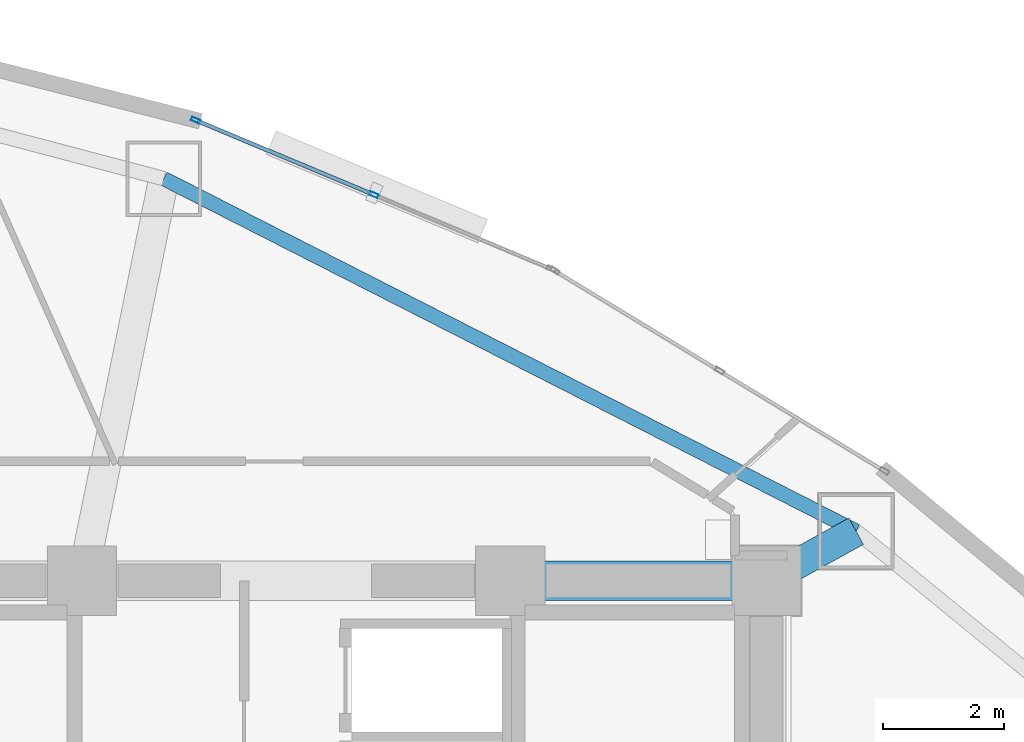
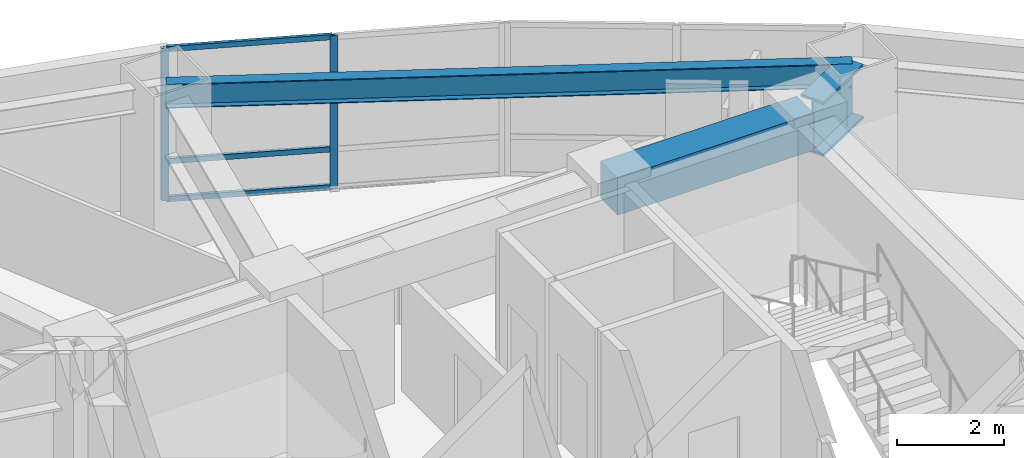
# One storey, part 9 of 17: 5 members, 3 beams, 1 element without a shape of its own.
"""IFC4 building model written with IfcOpenShell, lengths in metres."""

from ifc_helpers import new_model, si_unit, direction, frame, origin, origin_2d, place, context, subcontext, project, spatial, rectangle, hollow_rectangle, i_section, extrude, material, layer, layer_set, material_profile, profile_set, type_object, element, aggregate, save


model = new_model("IFC4")

# Units and contexts
model_context = context("Model", 3, precision=1e-05, world=origin(), true_north=direction((0.0, 1.0)))
body_context = subcontext(model_context, "Body", "Model", "MODEL_VIEW")
ifc_project = project(units=[si_unit("LENGTHUNIT", "METRE"), si_unit("AREAUNIT", "SQUARE_METRE"), si_unit("VOLUMEUNIT", "CUBIC_METRE"), si_unit("PLANEANGLEUNIT", "RADIAN"), si_unit("MASSUNIT", "GRAM", prefix="KILO")], contexts=[model_context])

# Site, building, storey
site_placement = place(None, origin())
site = spatial("IfcSite", under=ifc_project, at=site_placement, CompositionType="ELEMENT")
building_placement = place(site_placement, origin())
building = spatial("IfcBuilding", under=site, at=building_placement, Name="Menara Vayukalpa", CompositionType="ELEMENT")
storey_placement = place(building_placement, frame((0.0, 0.0, 133.739990234375)))
storey = spatial("IfcBuildingStorey", under=building, at=storey_placement, Name="L33", CompositionType="ELEMENT", Elevation=133.739990234375)

# Beams
ifc_material_1 = material(Name="Concrete C60/75", Category="concrete")
ifc_material_profile_1 = material_profile(ifc_material_1, rectangle(XDim=0.64990234375, YDim=0.85009765625, at=origin_2d()), Name="RC 650x850")
ifc_profile_set_1 = profile_set([ifc_material_profile_1], Name="Concrete C60/75")
beam_type_1 = type_object("IfcBeamType", Name="BM-CB1", PredefinedType="BEAM", material=ifc_profile_set_1)
beam_1_placement = place(storey_placement, frame((29.14990234375, 26.800048828125, 3.074951171875), z_axis=(1.0, 0.0, 0.0), x_axis=(0.0, 1.0, 0.0)))
element("IfcBeam", 1, at=beam_1_placement, inside=storey, type_object=beam_type_1, Name="L33 Core Tie Beam CBR6", PredefinedType="BEAM", context=body_context, shape_type="SweptSolid", body=[
    extrude(rectangle(XDim=0.64990234375, YDim=0.85009765625, at=origin_2d()), origin(), (0.0, 0.0, 1.0), 4.25),
])
ifc_material_2 = material(Name="Steel S355", Category="steel")
ifc_material_profile_2 = material_profile(ifc_material_2, i_section(OverallWidth=0.239990234375, OverallDepth=0.550048828125, WebThickness=0.010986328125, FlangeThickness=0.01904296875, at=origin_2d()), Name="WF 550x240x11x19")
ifc_profile_set_2 = profile_set([ifc_material_profile_2], Name="Steel S355")
beam_type_2 = type_object("IfcBeamType", Name="BM-SP2", PredefinedType="SPANDREL", material=ifc_profile_set_2)
beam_2_placement = place(storey_placement, frame((34.88671875, 27.62158203125, 3.22509765625), z_axis=(-0.891097345221, 0.453812209333, 0.0), x_axis=(-0.453812209333, -0.891097345221, 0.0)))
element("IfcBeam", 2, at=beam_2_placement, inside=storey, type_object=beam_type_2, Name="L33 Perimeter Spandrel Beam SP02", PredefinedType="SPANDREL", context=body_context, shape_type="SweptSolid", body=[
    extrude(i_section(OverallWidth=0.239990234375, OverallDepth=0.550048828125, WebThickness=0.010986328125, FlangeThickness=0.01904296875, at=origin_2d()), origin(), (0.0, 0.0, 1.0), 12.88134765625),
])
ifc_material_3 = material(Name="Steel S460", Category="steel")
ifc_material_profile_3 = material_profile(ifc_material_3, i_section(OverallWidth=0.5, OverallDepth=1.25, WebThickness=0.028076171875, FlangeThickness=0.054931640625, at=origin_2d()), Name="WG 1250x500x28x55")
ifc_profile_set_3 = profile_set([ifc_material_profile_3], Name="Steel S460")
beam_type_3 = type_object("IfcBeamType", Name="BM-TG2", PredefinedType="BEAM", material=ifc_profile_set_3)
beam_3_placement = place(storey_placement, frame((33.618896484375, 26.9208984375, 2.875), z_axis=(0.875228391676, 0.48370989488, 0.0), x_axis=(-0.48370989488, 0.875228391676, 0.0)))
element("IfcBeam", 3, at=beam_3_placement, inside=storey, type_object=beam_type_3, Name="L33 Primary Radial Girder RG02", PredefinedType="BEAM", context=body_context, shape_type="SweptSolid", body=[
    extrude(i_section(OverallWidth=0.5, OverallDepth=1.25, WebThickness=0.028076171875, FlangeThickness=0.054931640625, at=origin_2d()), origin(), (0.0, 0.0, 1.0), 1.448486328125),
])

# Curtain wall, members
ifc_material_4 = material(Name="Anodised Terracotta Aluminium Alloy 6063-T6", Category="masonry")
ifc_layer = layer(ifc_material_4, 0.14990234375)
ifc_layer_set = layer_set([ifc_layer], Name="Anodised Terracotta Aluminium Alloy 6063-T6")
curtain_wall_type = type_object("IfcCurtainWallType", Name="CW-CW3", PredefinedType="USERDEFINED", material=ifc_layer_set)
curtain_wall_placement = place(storey_placement, origin())
curtain_wall = element("IfcCurtainWall", 4, at=curtain_wall_placement, inside=storey, type_object=curtain_wall_type, Name="L33 Mid Rise Terracotta Ribbon Curtain Wall CW3 05", ObjectType="UNITISED", PredefinedType="USERDEFINED")
ifc_material_5 = material(Name="Anodised Terracotta Aluminium Alloy 6063-T6", Category="masonry")
ifc_material_profile_4 = material_profile(ifc_material_5, hollow_rectangle(XDim=0.06494140625, YDim=0.14990234375, WallThickness=0.00341796875, at=origin_2d()), Name="ALU 65x150x3.5")
ifc_profile_set_4 = profile_set([ifc_material_profile_4], Name="Anodised Terracotta Aluminium Alloy 6063-T6")
member_type_1 = type_object("IfcMemberType", Name="CWM-CW3", PredefinedType="MULLION", material=ifc_profile_set_4)
member_1_placement = place(storey_placement, frame((26.88671875, 33.201416015625, 0.0), z_axis=(0.0, 0.0, 1.0), x_axis=(-0.38589358437, -0.922543300632, 0.0)))
member_1 = element("IfcMember", 5, at=member_1_placement, type_object=member_type_1, Name="CW3 mullion 2", PredefinedType="MULLION", context=body_context, shape_type="SweptSolid", body=[
    extrude(hollow_rectangle(XDim=0.06494140625, YDim=0.14990234375, WallThickness=0.00341796875, at=origin_2d()), origin(), (0.0, 0.0, 1.0), 3.5),
])
member_2_placement = place(storey_placement, frame((23.9375, 34.43505859375, 0.0), z_axis=(0.0, 0.0, 1.0), x_axis=(-0.38589358437, -0.922543300632, 0.0)))
member_2 = element("IfcMember", 6, at=member_2_placement, type_object=member_type_1, Name="CW3 mullion 3", PredefinedType="MULLION", context=body_context, shape_type="SweptSolid", body=[
    extrude(hollow_rectangle(XDim=0.06494140625, YDim=0.14990234375, WallThickness=0.00341796875, at=origin_2d()), origin(), (0.0, 0.0, 1.0), 3.5),
])
ifc_material_6 = material(Name="Anodised Terracotta Aluminium Alloy 6063-T6", Category="masonry")
ifc_material_profile_5 = material_profile(ifc_material_6, hollow_rectangle(XDim=0.06494140625, YDim=0.1201171875, WallThickness=0.00341796875, at=origin_2d()), Name="ALU 65x120x3.5")
ifc_profile_set_5 = profile_set([ifc_material_profile_5], Name="Anodised Terracotta Aluminium Alloy 6063-T6")
member_type_2 = type_object("IfcMemberType", Name="CWT-CW3", PredefinedType="USERDEFINED", material=ifc_profile_set_5)
member_3_placement = place(storey_placement, frame((26.856689453125, 33.2138671875, 0.032470703125), z_axis=(-0.922529423765, 0.385926757673, 0.0), x_axis=(-0.385926757673, -0.922529423765, 0.0)))
member_3 = element("IfcMember", 7, at=member_3_placement, type_object=member_type_2, Name="CW3 transom 2.1", ObjectType="TRANSOM", PredefinedType="USERDEFINED", context=body_context, shape_type="SweptSolid", body=[
    extrude(hollow_rectangle(XDim=0.06494140625, YDim=0.1201171875, WallThickness=0.00341796875, at=origin_2d()), origin(), (0.0, 0.0, 1.0), 3.132080078125),
])
member_4_placement = place(storey_placement, frame((26.856689453125, 33.2138671875, 0.89990234375), z_axis=(-0.922529423765, 0.385926757673, 0.0), x_axis=(-0.385926757673, -0.922529423765, 0.0)))
member_4 = element("IfcMember", 8, at=member_4_placement, type_object=member_type_2, Name="CW3 transom 2.2", ObjectType="TRANSOM", PredefinedType="USERDEFINED", context=body_context, shape_type="SweptSolid", body=[
    extrude(hollow_rectangle(XDim=0.06494140625, YDim=0.1201171875, WallThickness=0.00341796875, at=origin_2d()), origin(), (0.0, 0.0, 1.0), 3.132080078125),
])
member_5_placement = place(storey_placement, frame((26.856689453125, 33.2138671875, 3.467529296875), z_axis=(-0.922529423765, 0.385926757673, 0.0), x_axis=(-0.385926757673, -0.922529423765, 0.0)))
member_5 = element("IfcMember", 9, at=member_5_placement, type_object=member_type_2, Name="CW3 transom 2.3", ObjectType="TRANSOM", PredefinedType="USERDEFINED", context=body_context, shape_type="SweptSolid", body=[
    extrude(hollow_rectangle(XDim=0.06494140625, YDim=0.1201171875, WallThickness=0.00341796875, at=origin_2d()), origin(), (0.0, 0.0, 1.0), 3.132080078125),
])
aggregate(curtain_wall, [member_1, member_2, member_3, member_4, member_5])

save(model, "model.ifc")
